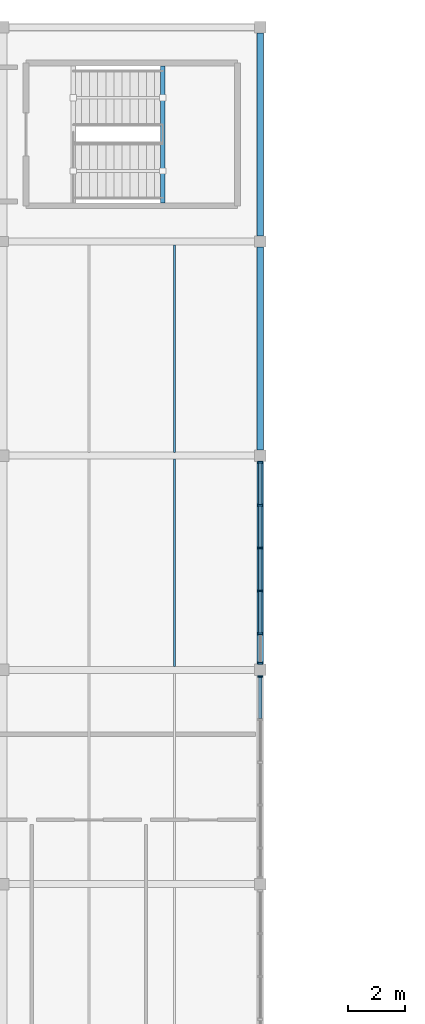
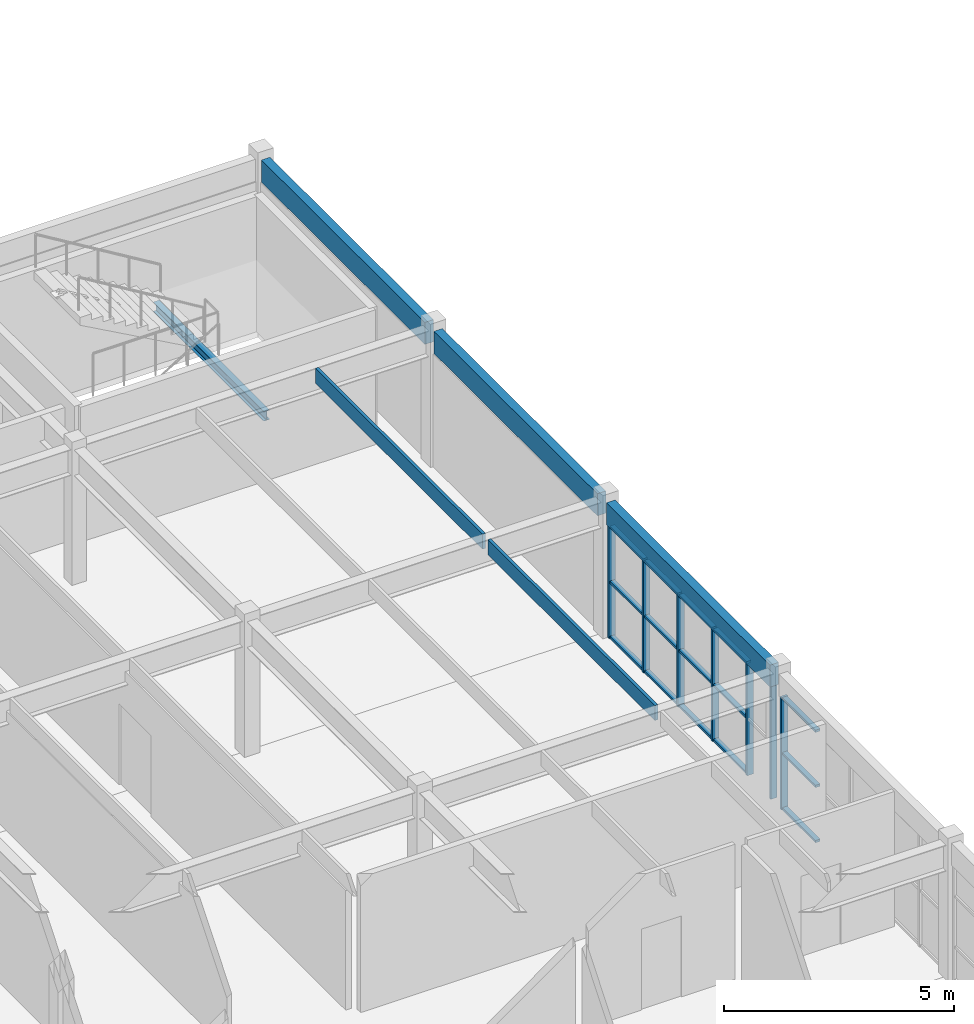
# One storey, part 34 of 81: 22 members, 6 beams, 2 elements without a shape of their own.
"""IFC4 building model written with IfcOpenShell, lengths in metres."""

from ifc_helpers import new_model, si_unit, direction, frame, origin, origin_2d, place, context, subcontext, project, spatial, rectangle, i_section, extrude, material, layer, layer_set, material_profile, profile_set, type_object, element, aggregate, save


model = new_model("IFC4")

# Units and contexts
model_context = context("Model", 3, precision=1e-05, world=origin(), true_north=direction((0.0, 1.0)))
body_context = subcontext(model_context, "Body", "Model", "MODEL_VIEW")
ifc_project = project(units=[si_unit("LENGTHUNIT", "METRE"), si_unit("AREAUNIT", "SQUARE_METRE"), si_unit("VOLUMEUNIT", "CUBIC_METRE"), si_unit("PLANEANGLEUNIT", "RADIAN"), si_unit("MASSUNIT", "GRAM", prefix="KILO")], contexts=[model_context])

# Site, building, storey
site_placement = place(None, origin())
site = spatial("IfcSite", under=ifc_project, at=site_placement, CompositionType="ELEMENT")
building_placement = place(site_placement, origin())
building = spatial("IfcBuilding", under=site, at=building_placement, Name="Marnridge Secondary College", CompositionType="ELEMENT")
storey_placement = place(building_placement, frame((0.0, 0.0, 8.5)))
storey = spatial("IfcBuildingStorey", under=building, at=storey_placement, Name="L02", CompositionType="ELEMENT", Elevation=8.5)

# Beams
ifc_material_1 = material(Name="Glulam timber GL18", Category="wood")
ifc_material_profile_1 = material_profile(ifc_material_1, rectangle(XDim=0.215087890625, YDim=0.5849609375, at=origin_2d()), Name="GL18 215x585")
ifc_profile_set_1 = profile_set([ifc_material_profile_1], Name="Glulam timber GL18")
beam_type_1 = type_object("IfcBeamType", Name="BM-GL585-EXT", PredefinedType="SPANDREL", material=ifc_profile_set_1)
for number, where, z_axis, x_axis, name in (
    (1, (36.0, 97.694091796875, 3.28759765625), (0.0, 1.0, 0.0), (-1.0, 0.0, 0.0), "Beam BS-L02-0892"),
    (2, (36.0, 105.194091796875, 3.28759765625), (0.0, 1.0, 0.0), (-1.0, 0.0, 0.0), "Beam BS-L02-0894"),
    (3, (36.0, 112.694091796875, 3.28759765625), (0.0, 1.0, 0.0), (-1.0, 0.0, 0.0), "Beam BS-L02-0896"),
):
    element("IfcBeam", number, at=place(storey_placement, frame(where, z_axis=z_axis, x_axis=x_axis)), inside=storey, type_object=beam_type_1, Name=name, PredefinedType="SPANDREL", context=body_context, shape_type="SweptSolid", body=[
        extrude(rectangle(XDim=0.215087890625, YDim=0.5849609375, at=origin_2d()), origin(), (0.0, 0.0, 1.0), 7.11181640625),
    ])
ifc_material_2 = material(Name="Engineered timber LVL E13.2", Category="wood")
ifc_material_profile_2 = material_profile(ifc_material_2, rectangle(XDim=0.074951171875, YDim=0.39990234375, at=origin_2d()), Name="LVL 75x400")
ifc_profile_set_2 = profile_set([ifc_material_profile_2], Name="Engineered timber LVL E13.2")
beam_type_2 = type_object("IfcBeamType", Name="BM-LVL400-INT", PredefinedType="JOIST", material=ifc_profile_set_2)
for number, where, z_axis, x_axis, name in (
    (4, (33.0, 97.618896484375, 3.3798828125), (0.0, 1.0, 0.0), (-1.0, 0.0, 0.0), "Beam BJ-L02-0930"),
    (5, (33.0, 105.118896484375, 3.3798828125), (0.0, 1.0, 0.0), (-1.0, 0.0, 0.0), "Beam BJ-L02-0932"),
):
    element("IfcBeam", number, at=place(storey_placement, frame(where, z_axis=z_axis, x_axis=x_axis)), inside=storey, type_object=beam_type_2, Name=name, PredefinedType="JOIST", context=body_context, shape_type="SweptSolid", body=[
        extrude(rectangle(XDim=0.074951171875, YDim=0.39990234375, at=origin_2d()), origin(), (0.0, 0.0, 1.0), 7.26220703125),
    ])
ifc_material_3 = material(Name="Structural steel Grade 350 (AS/NZS 3679.1/.2, fy = 340-360 MPa)", Category="steel")
ifc_material_profile_3 = material_profile(ifc_material_3, i_section(OverallWidth=0.146240234375, OverallDepth=0.256103515625, WebThickness=0.00634765625, FlangeThickness=0.010986328125, FilletRadius=0.0087890625, at=origin_2d()), Name="250UB37.3")
ifc_profile_set_3 = profile_set([ifc_material_profile_3], Name="Structural steel Grade 350 (AS/NZS 3679.1/.2, fy = 340-360 MPa)")
beam_type_3 = type_object("IfcBeamType", Name="BM-UB250-EXT", PredefinedType="LINTEL", material=ifc_profile_set_3)
beam_placement = place(storey_placement, frame((32.5849609375, 113.842041015625, 1.572021484375), z_axis=(0.0, 1.0, 0.0), x_axis=(-1.0, 0.0, 0.0)))
element("IfcBeam", 6, at=beam_placement, inside=storey, type_object=beam_type_3, Name="Stair landing trimmer beam BT-L02-047", PredefinedType="LINTEL", context=body_context, shape_type="SweptSolid", body=[
    extrude(i_section(OverallWidth=0.146240234375, OverallDepth=0.256103515625, WebThickness=0.00634765625, FlangeThickness=0.010986328125, FilletRadius=0.0087890625, at=origin_2d()), origin(), (0.0, 0.0, 1.0), 4.802978515625),
])

# Curtain wall, members
ifc_material_4 = material(Name="Thermally broken aluminium and low-E glazing", Category="aluminium")
ifc_layer = layer(ifc_material_4, 0.159912109375)
ifc_layer_set = layer_set([ifc_layer], Name="CW-MOD-1500")
curtain_wall_type = type_object("IfcCurtainWallType", Name="CW-MOD-1500", PredefinedType="NOTDEFINED", material=ifc_layer_set)
curtain_wall_1_placement = place(storey_placement, origin())
curtain_wall_1 = element("IfcCurtainWall", 7, at=curtain_wall_1_placement, inside=storey, type_object=curtain_wall_type, Name="Unitised curtain wall CW-L02-089", PredefinedType="NOTDEFINED")
ifc_material_5 = material(Name="Anodised aluminium 6063-T6", Category="aluminium")
ifc_material_profile_4 = material_profile(ifc_material_5, rectangle(XDim=0.06005859375, YDim=0.159912109375, at=origin_2d()), Name="ALU 60x160")
ifc_profile_set_4 = profile_set([ifc_material_profile_4], Name="Anodised aluminium 6063-T6")
member_type_1 = type_object("IfcMemberType", Name="CWM-ALU160", PredefinedType="MULLION", material=ifc_profile_set_4)
member_1_placement = place(storey_placement, frame((36.0, 104.76611328125, 0.0), z_axis=(0.0, 0.0, 1.0), x_axis=(0.0, -1.0, 0.0)))
member_1 = element("IfcMember", 8, at=member_1_placement, type_object=member_type_1, Name="CW-L02-089 mullion 1", PredefinedType="MULLION", context=body_context, shape_type="SweptSolid", body=[
    extrude(rectangle(XDim=0.06005859375, YDim=0.159912109375, at=origin_2d()), origin(), (0.0, 0.0, 1.0), 2.987060546875),
])
member_2_placement = place(storey_placement, frame((36.0, 103.26611328125, 0.0), z_axis=(0.0, 0.0, 1.0), x_axis=(0.0, -1.0, 0.0)))
member_2 = element("IfcMember", 9, at=member_2_placement, type_object=member_type_1, Name="CW-L02-089 mullion 2", PredefinedType="MULLION", context=body_context, shape_type="SweptSolid", body=[
    extrude(rectangle(XDim=0.06005859375, YDim=0.159912109375, at=origin_2d()), origin(), (0.0, 0.0, 1.0), 2.987060546875),
])
member_3_placement = place(storey_placement, frame((36.0, 101.76611328125, 0.0), z_axis=(0.0, 0.0, 1.0), x_axis=(0.0, -1.0, 0.0)))
member_3 = element("IfcMember", 10, at=member_3_placement, type_object=member_type_1, Name="CW-L02-089 mullion 3", PredefinedType="MULLION", context=body_context, shape_type="SweptSolid", body=[
    extrude(rectangle(XDim=0.06005859375, YDim=0.159912109375, at=origin_2d()), origin(), (0.0, 0.0, 1.0), 2.987060546875),
])
member_4_placement = place(storey_placement, frame((36.0, 100.26611328125, 0.0), z_axis=(0.0, 0.0, 1.0), x_axis=(0.0, -1.0, 0.0)))
member_4 = element("IfcMember", 11, at=member_4_placement, type_object=member_type_1, Name="CW-L02-089 mullion 4", PredefinedType="MULLION", context=body_context, shape_type="SweptSolid", body=[
    extrude(rectangle(XDim=0.06005859375, YDim=0.159912109375, at=origin_2d()), origin(), (0.0, 0.0, 1.0), 2.987060546875),
])
member_5_placement = place(storey_placement, frame((36.0, 98.76611328125, 0.0), z_axis=(0.0, 0.0, 1.0), x_axis=(0.0, -1.0, 0.0)))
member_5 = element("IfcMember", 12, at=member_5_placement, type_object=member_type_1, Name="CW-L02-089 mullion 5", PredefinedType="MULLION", context=body_context, shape_type="SweptSolid", body=[
    extrude(rectangle(XDim=0.06005859375, YDim=0.159912109375, at=origin_2d()), origin(), (0.0, 0.0, 1.0), 2.987060546875),
])
member_6_placement = place(storey_placement, frame((36.0, 97.73388671875, 0.0), z_axis=(0.0, 0.0, 1.0), x_axis=(0.0, -1.0, 0.0)))
member_6 = element("IfcMember", 13, at=member_6_placement, type_object=member_type_1, Name="CW-L02-089 mullion 6", PredefinedType="MULLION", context=body_context, shape_type="SweptSolid", body=[
    extrude(rectangle(XDim=0.06005859375, YDim=0.159912109375, at=origin_2d()), origin(), (0.0, 0.0, 1.0), 2.987060546875),
])

# Curtain wall, member
curtain_wall_2_placement = place(storey_placement, origin())
curtain_wall_2 = element("IfcCurtainWall", 14, at=curtain_wall_2_placement, inside=storey, type_object=curtain_wall_type, Name="Unitised curtain wall CW-L02-090", PredefinedType="NOTDEFINED")
member_7_placement = place(storey_placement, frame((36.0, 97.26611328125, 0.0), z_axis=(0.0, 0.0, 1.0), x_axis=(0.0, -1.0, 0.0)))
member_7 = element("IfcMember", 15, at=member_7_placement, type_object=member_type_1, Name="CW-L02-090 mullion 1", PredefinedType="MULLION", context=body_context, shape_type="SweptSolid", body=[
    extrude(rectangle(XDim=0.06005859375, YDim=0.159912109375, at=origin_2d()), origin(), (0.0, 0.0, 1.0), 2.987060546875),
])

# Member
ifc_material_6 = material(Name="Anodised aluminium 6063-T6", Category="aluminium")
ifc_material_profile_5 = material_profile(ifc_material_6, rectangle(XDim=0.06005859375, YDim=0.1201171875, at=origin_2d()), Name="ALU 60x120")
ifc_profile_set_5 = profile_set([ifc_material_profile_5], Name="Anodised aluminium 6063-T6")
member_type_2 = type_object("IfcMemberType", Name="CWT-ALU120", PredefinedType="USERDEFINED", material=ifc_profile_set_5)
member_8_placement = place(storey_placement, frame((36.0, 104.736083984375, 0.030029296875), z_axis=(0.0, -1.0, 0.0), x_axis=(0.0, 0.0, 1.0)))
member_8 = element("IfcMember", 16, at=member_8_placement, type_object=member_type_2, Name="CW-L02-089 transom 1.1", ObjectType="TRANSOM", PredefinedType="USERDEFINED", context=body_context, shape_type="SweptSolid", body=[
    extrude(rectangle(XDim=0.06005859375, YDim=0.1201171875, at=origin_2d()), origin(), (0.0, 0.0, 1.0), 1.440185546875),
])

member_9_placement = place(storey_placement, frame((36.0, 104.736083984375, 1.493896484375), z_axis=(0.0, -1.0, 0.0), x_axis=(0.0, 0.0, 1.0)))
member_9 = element("IfcMember", 17, at=member_9_placement, type_object=member_type_2, Name="CW-L02-089 transom 1.2", ObjectType="TRANSOM", PredefinedType="USERDEFINED", context=body_context, shape_type="SweptSolid", body=[
    extrude(rectangle(XDim=0.06005859375, YDim=0.1201171875, at=origin_2d()), origin(), (0.0, 0.0, 1.0), 1.440185546875),
])

member_10_placement = place(storey_placement, frame((36.0, 104.736083984375, 2.95703125), z_axis=(0.0, -1.0, 0.0), x_axis=(0.0, 0.0, 1.0)))
member_10 = element("IfcMember", 18, at=member_10_placement, type_object=member_type_2, Name="CW-L02-089 transom 1.3", ObjectType="TRANSOM", PredefinedType="USERDEFINED", context=body_context, shape_type="SweptSolid", body=[
    extrude(rectangle(XDim=0.06005859375, YDim=0.1201171875, at=origin_2d()), origin(), (0.0, 0.0, 1.0), 1.440185546875),
])

member_11_placement = place(storey_placement, frame((36.0, 103.236083984375, 0.030029296875), z_axis=(0.0, -1.0, 0.0), x_axis=(0.0, 0.0, 1.0)))
member_11 = element("IfcMember", 19, at=member_11_placement, type_object=member_type_2, Name="CW-L02-089 transom 2.1", ObjectType="TRANSOM", PredefinedType="USERDEFINED", context=body_context, shape_type="SweptSolid", body=[
    extrude(rectangle(XDim=0.06005859375, YDim=0.1201171875, at=origin_2d()), origin(), (0.0, 0.0, 1.0), 1.440185546875),
])

member_12_placement = place(storey_placement, frame((36.0, 103.236083984375, 1.493896484375), z_axis=(0.0, -1.0, 0.0), x_axis=(0.0, 0.0, 1.0)))
member_12 = element("IfcMember", 20, at=member_12_placement, type_object=member_type_2, Name="CW-L02-089 transom 2.2", ObjectType="TRANSOM", PredefinedType="USERDEFINED", context=body_context, shape_type="SweptSolid", body=[
    extrude(rectangle(XDim=0.06005859375, YDim=0.1201171875, at=origin_2d()), origin(), (0.0, 0.0, 1.0), 1.440185546875),
])

member_13_placement = place(storey_placement, frame((36.0, 103.236083984375, 2.95703125), z_axis=(0.0, -1.0, 0.0), x_axis=(0.0, 0.0, 1.0)))
member_13 = element("IfcMember", 21, at=member_13_placement, type_object=member_type_2, Name="CW-L02-089 transom 2.3", ObjectType="TRANSOM", PredefinedType="USERDEFINED", context=body_context, shape_type="SweptSolid", body=[
    extrude(rectangle(XDim=0.06005859375, YDim=0.1201171875, at=origin_2d()), origin(), (0.0, 0.0, 1.0), 1.440185546875),
])

member_14_placement = place(storey_placement, frame((36.0, 101.736083984375, 0.030029296875), z_axis=(0.0, -1.0, 0.0), x_axis=(0.0, 0.0, 1.0)))
member_14 = element("IfcMember", 22, at=member_14_placement, type_object=member_type_2, Name="CW-L02-089 transom 3.1", ObjectType="TRANSOM", PredefinedType="USERDEFINED", context=body_context, shape_type="SweptSolid", body=[
    extrude(rectangle(XDim=0.06005859375, YDim=0.1201171875, at=origin_2d()), origin(), (0.0, 0.0, 1.0), 1.440185546875),
])

member_15_placement = place(storey_placement, frame((36.0, 101.736083984375, 1.493896484375), z_axis=(0.0, -1.0, 0.0), x_axis=(0.0, 0.0, 1.0)))
member_15 = element("IfcMember", 23, at=member_15_placement, type_object=member_type_2, Name="CW-L02-089 transom 3.2", ObjectType="TRANSOM", PredefinedType="USERDEFINED", context=body_context, shape_type="SweptSolid", body=[
    extrude(rectangle(XDim=0.06005859375, YDim=0.1201171875, at=origin_2d()), origin(), (0.0, 0.0, 1.0), 1.440185546875),
])

member_16_placement = place(storey_placement, frame((36.0, 101.736083984375, 2.95703125), z_axis=(0.0, -1.0, 0.0), x_axis=(0.0, 0.0, 1.0)))
member_16 = element("IfcMember", 24, at=member_16_placement, type_object=member_type_2, Name="CW-L02-089 transom 3.3", ObjectType="TRANSOM", PredefinedType="USERDEFINED", context=body_context, shape_type="SweptSolid", body=[
    extrude(rectangle(XDim=0.06005859375, YDim=0.1201171875, at=origin_2d()), origin(), (0.0, 0.0, 1.0), 1.440185546875),
])

member_17_placement = place(storey_placement, frame((36.0, 100.236083984375, 0.030029296875), z_axis=(0.0, -1.0, 0.0), x_axis=(0.0, 0.0, 1.0)))
member_17 = element("IfcMember", 25, at=member_17_placement, type_object=member_type_2, Name="CW-L02-089 transom 4.1", ObjectType="TRANSOM", PredefinedType="USERDEFINED", context=body_context, shape_type="SweptSolid", body=[
    extrude(rectangle(XDim=0.06005859375, YDim=0.1201171875, at=origin_2d()), origin(), (0.0, 0.0, 1.0), 1.440185546875),
])

member_18_placement = place(storey_placement, frame((36.0, 100.236083984375, 1.493896484375), z_axis=(0.0, -1.0, 0.0), x_axis=(0.0, 0.0, 1.0)))
member_18 = element("IfcMember", 26, at=member_18_placement, type_object=member_type_2, Name="CW-L02-089 transom 4.2", ObjectType="TRANSOM", PredefinedType="USERDEFINED", context=body_context, shape_type="SweptSolid", body=[
    extrude(rectangle(XDim=0.06005859375, YDim=0.1201171875, at=origin_2d()), origin(), (0.0, 0.0, 1.0), 1.440185546875),
])

member_19_placement = place(storey_placement, frame((36.0, 100.236083984375, 2.95703125), z_axis=(0.0, -1.0, 0.0), x_axis=(0.0, 0.0, 1.0)))
member_19 = element("IfcMember", 27, at=member_19_placement, type_object=member_type_2, Name="CW-L02-089 transom 4.3", ObjectType="TRANSOM", PredefinedType="USERDEFINED", context=body_context, shape_type="SweptSolid", body=[
    extrude(rectangle(XDim=0.06005859375, YDim=0.1201171875, at=origin_2d()), origin(), (0.0, 0.0, 1.0), 1.440185546875),
])

aggregate(curtain_wall_1, [member_1, member_2, member_3, member_4, member_5, member_6, member_8, member_9, member_10, member_11, member_12, member_13, member_14, member_15, member_16, member_17, member_18, member_19])

member_20_placement = place(storey_placement, frame((36.0, 97.236083984375, 0.030029296875), z_axis=(0.0, -1.0, 0.0), x_axis=(0.0, 0.0, 1.0)))
member_20 = element("IfcMember", 28, at=member_20_placement, type_object=member_type_2, Name="CW-L02-090 transom 1.1", ObjectType="TRANSOM", PredefinedType="USERDEFINED", context=body_context, shape_type="SweptSolid", body=[
    extrude(rectangle(XDim=0.06005859375, YDim=0.1201171875, at=origin_2d()), origin(), (0.0, 0.0, 1.0), 1.440185546875),
])

member_21_placement = place(storey_placement, frame((36.0, 97.236083984375, 1.493896484375), z_axis=(0.0, -1.0, 0.0), x_axis=(0.0, 0.0, 1.0)))
member_21 = element("IfcMember", 29, at=member_21_placement, type_object=member_type_2, Name="CW-L02-090 transom 1.2", ObjectType="TRANSOM", PredefinedType="USERDEFINED", context=body_context, shape_type="SweptSolid", body=[
    extrude(rectangle(XDim=0.06005859375, YDim=0.1201171875, at=origin_2d()), origin(), (0.0, 0.0, 1.0), 1.440185546875),
])

member_22_placement = place(storey_placement, frame((36.0, 97.236083984375, 2.95703125), z_axis=(0.0, -1.0, 0.0), x_axis=(0.0, 0.0, 1.0)))
member_22 = element("IfcMember", 30, at=member_22_placement, type_object=member_type_2, Name="CW-L02-090 transom 1.3", ObjectType="TRANSOM", PredefinedType="USERDEFINED", context=body_context, shape_type="SweptSolid", body=[
    extrude(rectangle(XDim=0.06005859375, YDim=0.1201171875, at=origin_2d()), origin(), (0.0, 0.0, 1.0), 1.440185546875),
])

aggregate(curtain_wall_2, [member_7, member_20, member_21, member_22])

save(model, "model.ifc")
